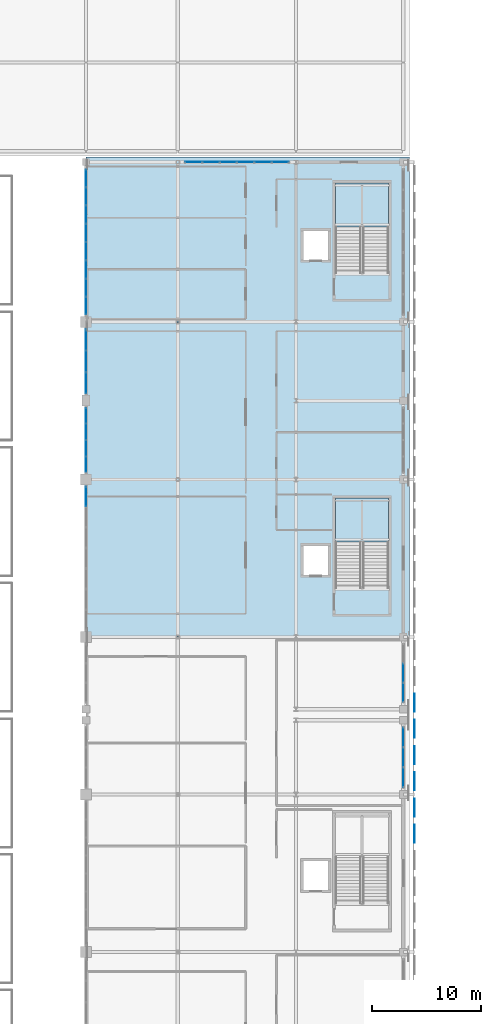
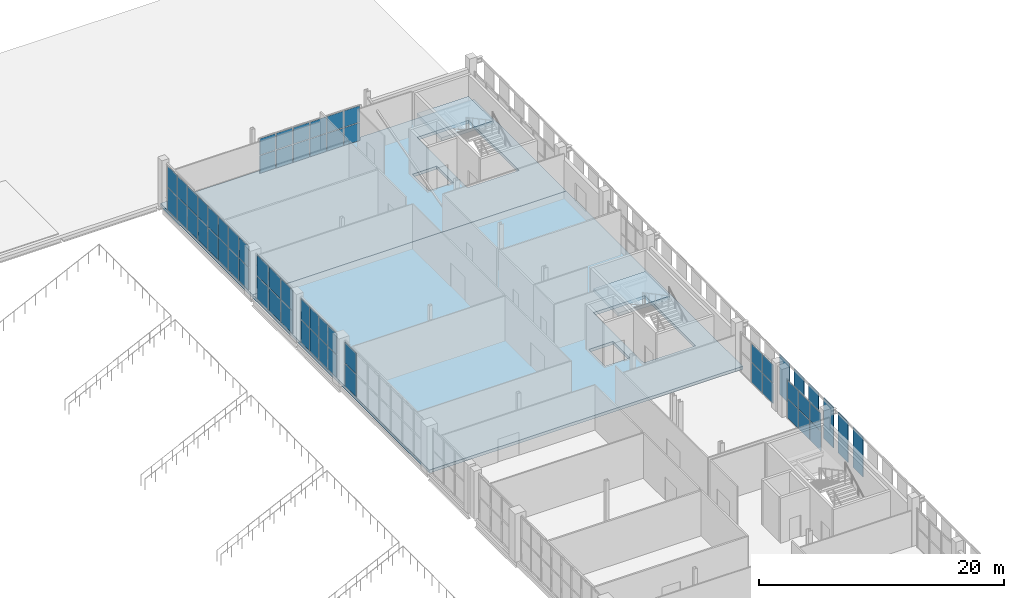
# One storey, part 59 of 104: 60 plates, 4 slabs, 9 elements without a shape of their own.
"""IFC4 building model written with IfcOpenShell, lengths in metres."""

from ifc_helpers import new_model, si_unit, direction, frame, origin, origin_2d, place, context, subcontext, project, spatial, polyline, rectangle, outline, extrude, material, layer, layer_set, type_object, element, aggregate, save


model = new_model("IFC4")

# Units and contexts
model_context = context("Model", 3, precision=1e-05, world=origin(), true_north=direction((0.0, 1.0)))
body_context = subcontext(model_context, "Body", "Model", "MODEL_VIEW")
ifc_project = project(units=[si_unit("LENGTHUNIT", "METRE"), si_unit("AREAUNIT", "SQUARE_METRE"), si_unit("VOLUMEUNIT", "CUBIC_METRE"), si_unit("PLANEANGLEUNIT", "RADIAN"), si_unit("MASSUNIT", "GRAM", prefix="KILO")], contexts=[model_context])

# Site, building, storey
site_placement = place(None, origin())
site = spatial("IfcSite", under=ifc_project, at=site_placement, CompositionType="ELEMENT")
building_placement = place(site_placement, origin())
building = spatial("IfcBuilding", under=site, at=building_placement, Name="Koshinbarg Plaza Stadium", CompositionType="ELEMENT")
storey_placement = place(building_placement, frame((0.0, 0.0, 19.800048828125)))
storey = spatial("IfcBuildingStorey", under=building, at=storey_placement, Name="L04", CompositionType="ELEMENT", Elevation=19.800048828125)

# Curtain wall, plates
ifc_material_1 = material(Name="Thermally broken anodised aluminium and low-E double glazing", Category="aluminium")
curtain_wall_type_1 = type_object("IfcCurtainWallType", Name="CW-SYS-03", PredefinedType="NOTDEFINED", material=ifc_material_1)
curtain_wall_1_placement = place(storey_placement, origin())
curtain_wall_1 = element("IfcCurtainWall", 1, at=curtain_wall_1_placement, inside=storey, type_object=curtain_wall_type_1, Name="L04 unitised curtain wall CW-L04-098", PredefinedType="NOTDEFINED")
ifc_material_2 = material(Name="Solar-control low-E double glazing unit", Category="glass")
ifc_layer_1 = layer(ifc_material_2, 0.028076171875)
ifc_layer_set_1 = layer_set([ifc_layer_1], Name="Solar-control low-E double glazing unit")
plate_type_1 = type_object("IfcPlateType", Name="CW-PNL-28", PredefinedType="CURTAIN_PANEL", material=ifc_layer_set_1)
plate_1_placement = place(storey_placement, frame((199.231689453125, 126.5, 0.06005859375), z_axis=(0.0, 0.0, 1.0), x_axis=(1.0, 0.0, 0.0)))
plate_1 = element("IfcPlate", 2, at=plate_1_placement, type_object=plate_type_1, Name="CW03 panel 1.1", PredefinedType="CURTAIN_PANEL", context=body_context, shape_type="SweptSolid", body=[
    extrude(rectangle(XDim=1.50341796875, YDim=0.028076171875, at=origin_2d()), origin(), (0.0, 0.0, 1.0), 1.771484375),
])
plate_2_placement = place(storey_placement, frame((199.231689453125, 126.5, 1.8916015625), z_axis=(0.0, 0.0, 1.0), x_axis=(1.0, 0.0, 0.0)))
plate_2 = element("IfcPlate", 3, at=plate_2_placement, type_object=plate_type_1, Name="CW03 panel 1.2", PredefinedType="CURTAIN_PANEL", context=body_context, shape_type="SweptSolid", body=[
    extrude(rectangle(XDim=1.50341796875, YDim=0.028076171875, at=origin_2d()), origin(), (0.0, 0.0, 1.0), 1.62841796875),
])
plate_3_placement = place(storey_placement, frame((200.81005859375, 126.5, 0.06005859375), z_axis=(0.0, 0.0, 1.0), x_axis=(1.0, 0.0, 0.0)))
plate_3 = element("IfcPlate", 4, at=plate_3_placement, type_object=plate_type_1, Name="CW03 panel 2.1", PredefinedType="CURTAIN_PANEL", context=body_context, shape_type="SweptSolid", body=[
    extrude(rectangle(XDim=1.533447265625, YDim=0.028076171875, at=origin_2d()), origin(), (0.0, 0.0, 1.0), 1.771484375),
])
plate_4_placement = place(storey_placement, frame((200.81005859375, 126.5, 1.8916015625), z_axis=(0.0, 0.0, 1.0), x_axis=(1.0, 0.0, 0.0)))
plate_4 = element("IfcPlate", 5, at=plate_4_placement, type_object=plate_type_1, Name="CW03 panel 2.2", PredefinedType="CURTAIN_PANEL", context=body_context, shape_type="SweptSolid", body=[
    extrude(rectangle(XDim=1.533447265625, YDim=0.028076171875, at=origin_2d()), origin(), (0.0, 0.0, 1.0), 1.62841796875),
])
plate_5_placement = place(storey_placement, frame((202.4033203125, 126.5, 0.06005859375), z_axis=(0.0, 0.0, 1.0), x_axis=(1.0, 0.0, 0.0)))
plate_5 = element("IfcPlate", 6, at=plate_5_placement, type_object=plate_type_1, Name="CW03 panel 3.1", PredefinedType="CURTAIN_PANEL", context=body_context, shape_type="SweptSolid", body=[
    extrude(rectangle(XDim=1.533447265625, YDim=0.028076171875, at=origin_2d()), origin(), (0.0, 0.0, 1.0), 1.771484375),
])
plate_6_placement = place(storey_placement, frame((202.4033203125, 126.5, 1.8916015625), z_axis=(0.0, 0.0, 1.0), x_axis=(1.0, 0.0, 0.0)))
plate_6 = element("IfcPlate", 7, at=plate_6_placement, type_object=plate_type_1, Name="CW03 panel 3.2", PredefinedType="CURTAIN_PANEL", context=body_context, shape_type="SweptSolid", body=[
    extrude(rectangle(XDim=1.533447265625, YDim=0.028076171875, at=origin_2d()), origin(), (0.0, 0.0, 1.0), 1.62841796875),
])
plate_7_placement = place(storey_placement, frame((203.99658203125, 126.5, 0.06005859375), z_axis=(0.0, 0.0, 1.0), x_axis=(1.0, 0.0, 0.0)))
plate_7 = element("IfcPlate", 8, at=plate_7_placement, type_object=plate_type_1, Name="CW03 panel 4.1", PredefinedType="CURTAIN_PANEL", context=body_context, shape_type="SweptSolid", body=[
    extrude(rectangle(XDim=1.533447265625, YDim=0.028076171875, at=origin_2d()), origin(), (0.0, 0.0, 1.0), 1.771484375),
])
plate_8_placement = place(storey_placement, frame((203.99658203125, 126.5, 1.8916015625), z_axis=(0.0, 0.0, 1.0), x_axis=(1.0, 0.0, 0.0)))
plate_8 = element("IfcPlate", 9, at=plate_8_placement, type_object=plate_type_1, Name="CW03 panel 4.2", PredefinedType="CURTAIN_PANEL", context=body_context, shape_type="SweptSolid", body=[
    extrude(rectangle(XDim=1.533447265625, YDim=0.028076171875, at=origin_2d()), origin(), (0.0, 0.0, 1.0), 1.62841796875),
])
plate_9_placement = place(storey_placement, frame((205.590087890625, 126.5, 0.06005859375), z_axis=(0.0, 0.0, 1.0), x_axis=(1.0, 0.0, 0.0)))
plate_9 = element("IfcPlate", 10, at=plate_9_placement, type_object=plate_type_1, Name="CW03 panel 5.1", PredefinedType="CURTAIN_PANEL", context=body_context, shape_type="SweptSolid", body=[
    extrude(rectangle(XDim=1.533447265625, YDim=0.028076171875, at=origin_2d()), origin(), (0.0, 0.0, 1.0), 1.771484375),
])
plate_10_placement = place(storey_placement, frame((205.590087890625, 126.5, 1.8916015625), z_axis=(0.0, 0.0, 1.0), x_axis=(1.0, 0.0, 0.0)))
plate_10 = element("IfcPlate", 11, at=plate_10_placement, type_object=plate_type_1, Name="CW03 panel 5.2", PredefinedType="CURTAIN_PANEL", context=body_context, shape_type="SweptSolid", body=[
    extrude(rectangle(XDim=1.533447265625, YDim=0.028076171875, at=origin_2d()), origin(), (0.0, 0.0, 1.0), 1.62841796875),
])
plate_11_placement = place(storey_placement, frame((207.168212890625, 126.5, 0.06005859375), z_axis=(0.0, 0.0, 1.0), x_axis=(1.0, 0.0, 0.0)))
plate_11 = element("IfcPlate", 12, at=plate_11_placement, type_object=plate_type_1, Name="CW03 panel 6.1", PredefinedType="CURTAIN_PANEL", context=body_context, shape_type="SweptSolid", body=[
    extrude(rectangle(XDim=1.50341796875, YDim=0.028076171875, at=origin_2d()), origin(), (0.0, 0.0, 1.0), 1.771484375),
])
plate_12_placement = place(storey_placement, frame((207.168212890625, 126.5, 1.8916015625), z_axis=(0.0, 0.0, 1.0), x_axis=(1.0, 0.0, 0.0)))
plate_12 = element("IfcPlate", 13, at=plate_12_placement, type_object=plate_type_1, Name="CW03 panel 6.2", PredefinedType="CURTAIN_PANEL", context=body_context, shape_type="SweptSolid", body=[
    extrude(rectangle(XDim=1.50341796875, YDim=0.028076171875, at=origin_2d()), origin(), (0.0, 0.0, 1.0), 1.62841796875),
])
aggregate(curtain_wall_1, [plate_1, plate_2, plate_3, plate_4, plate_5, plate_6, plate_7, plate_8, plate_9, plate_10, plate_11, plate_12])

curtain_wall_type_2 = type_object("IfcCurtainWallType", Name="CW-SYS-07", PredefinedType="NOTDEFINED", material=ifc_material_1)
curtain_wall_2_placement = place(storey_placement, origin())
curtain_wall_2 = element("IfcCurtainWall", 14, at=curtain_wall_2_placement, inside=storey, type_object=curtain_wall_type_2, Name="L04 unitised curtain wall CW-L04-102", PredefinedType="NOTDEFINED")
plate_13_placement = place(storey_placement, frame((218.39990234375, 73.938232421875, 0.06005859375), z_axis=(0.0, 0.0, 1.0), x_axis=(0.0, -1.0, 0.0)))
plate_13 = element("IfcPlate", 15, at=plate_13_placement, type_object=plate_type_1, Name="CW07 panel 1.1", PredefinedType="CURTAIN_PANEL", context=body_context, shape_type="SweptSolid", body=[
    extrude(rectangle(XDim=1.763427734375, YDim=0.028076171875, at=origin_2d()), origin(), (0.0, 0.0, 1.0), 1.927490234375),
])
plate_14_placement = place(storey_placement, frame((218.39990234375, 73.938232421875, 2.047607421875), z_axis=(0.0, 0.0, 1.0), x_axis=(0.0, -1.0, 0.0)))
plate_14 = element("IfcPlate", 16, at=plate_14_placement, type_object=plate_type_1, Name="CW07 panel 1.2", PredefinedType="CURTAIN_PANEL", context=body_context, shape_type="SweptSolid", body=[
    extrude(rectangle(XDim=1.763427734375, YDim=0.028076171875, at=origin_2d()), origin(), (0.0, 0.0, 1.0), 1.7724609375),
])
plate_15_placement = place(storey_placement, frame((218.39990234375, 72.10009765625, 0.06005859375), z_axis=(0.0, 0.0, 1.0), x_axis=(0.0, -1.0, 0.0)))
plate_15 = element("IfcPlate", 17, at=plate_15_placement, type_object=plate_type_1, Name="CW07 panel 2.1", PredefinedType="CURTAIN_PANEL", context=body_context, shape_type="SweptSolid", body=[
    extrude(rectangle(XDim=1.793212890625, YDim=0.028076171875, at=origin_2d()), origin(), (0.0, 0.0, 1.0), 1.927490234375),
])
plate_16_placement = place(storey_placement, frame((218.39990234375, 72.10009765625, 2.047607421875), z_axis=(0.0, 0.0, 1.0), x_axis=(0.0, -1.0, 0.0)))
plate_16 = element("IfcPlate", 18, at=plate_16_placement, type_object=plate_type_1, Name="CW07 panel 2.2", PredefinedType="CURTAIN_PANEL", context=body_context, shape_type="SweptSolid", body=[
    extrude(rectangle(XDim=1.793212890625, YDim=0.028076171875, at=origin_2d()), origin(), (0.0, 0.0, 1.0), 1.7724609375),
])
plate_17_placement = place(storey_placement, frame((218.39990234375, 70.26171875, 0.06005859375), z_axis=(0.0, 0.0, 1.0), x_axis=(0.0, -1.0, 0.0)))
plate_17 = element("IfcPlate", 19, at=plate_17_placement, type_object=plate_type_1, Name="CW07 panel 3.1", PredefinedType="CURTAIN_PANEL", context=body_context, shape_type="SweptSolid", body=[
    extrude(rectangle(XDim=1.763427734375, YDim=0.028076171875, at=origin_2d()), origin(), (0.0, 0.0, 1.0), 1.927490234375),
])
plate_18_placement = place(storey_placement, frame((218.39990234375, 70.26171875, 2.047607421875), z_axis=(0.0, 0.0, 1.0), x_axis=(0.0, -1.0, 0.0)))
plate_18 = element("IfcPlate", 20, at=plate_18_placement, type_object=plate_type_1, Name="CW07 panel 3.2", PredefinedType="CURTAIN_PANEL", context=body_context, shape_type="SweptSolid", body=[
    extrude(rectangle(XDim=1.763427734375, YDim=0.028076171875, at=origin_2d()), origin(), (0.0, 0.0, 1.0), 1.7724609375),
])
aggregate(curtain_wall_2, [plate_13, plate_14, plate_15, plate_16, plate_17, plate_18])

curtain_wall_type_3 = type_object("IfcCurtainWallType", Name="CW-SYS-01", PredefinedType="NOTDEFINED", material=ifc_material_1)
curtain_wall_3_placement = place(storey_placement, origin())
curtain_wall_3 = element("IfcCurtainWall", 21, at=curtain_wall_3_placement, inside=storey, type_object=curtain_wall_type_3, Name="L04 unitised curtain wall CW-L04-128", PredefinedType="NOTDEFINED")
plate_19_placement = place(storey_placement, frame((189.39990234375, 98.8798828125, 0.06005859375), z_axis=(0.0, 0.0, 1.0), x_axis=(0.0, 1.0, 0.0)))
plate_19 = element("IfcPlate", 22, at=plate_19_placement, type_object=plate_type_1, Name="CW01 panel 1.1", PredefinedType="CURTAIN_PANEL", context=body_context, shape_type="SweptSolid", body=[
    extrude(rectangle(XDim=1.39990234375, YDim=0.028076171875, at=origin_2d()), origin(), (0.0, 0.0, 1.0), 2.239501953125),
])
plate_20_placement = place(storey_placement, frame((189.39990234375, 98.8798828125, 2.359375), z_axis=(0.0, 0.0, 1.0), x_axis=(0.0, 1.0, 0.0)))
plate_20 = element("IfcPlate", 23, at=plate_20_placement, type_object=plate_type_1, Name="CW01 panel 1.2", PredefinedType="CURTAIN_PANEL", context=body_context, shape_type="SweptSolid", body=[
    extrude(rectangle(XDim=1.39990234375, YDim=0.028076171875, at=origin_2d()), origin(), (0.0, 0.0, 1.0), 2.060302734375),
])
plate_21_placement = place(storey_placement, frame((189.39990234375, 100.35498046875, 0.06005859375), z_axis=(0.0, 0.0, 1.0), x_axis=(0.0, 1.0, 0.0)))
plate_21 = element("IfcPlate", 24, at=plate_21_placement, type_object=plate_type_1, Name="CW01 panel 2.1", PredefinedType="CURTAIN_PANEL", context=body_context, shape_type="SweptSolid", body=[
    extrude(rectangle(XDim=1.429931640625, YDim=0.028076171875, at=origin_2d()), origin(), (0.0, 0.0, 1.0), 2.239501953125),
])
plate_22_placement = place(storey_placement, frame((189.39990234375, 100.35498046875, 2.359375), z_axis=(0.0, 0.0, 1.0), x_axis=(0.0, 1.0, 0.0)))
plate_22 = element("IfcPlate", 25, at=plate_22_placement, type_object=plate_type_1, Name="CW01 panel 2.2", PredefinedType="CURTAIN_PANEL", context=body_context, shape_type="SweptSolid", body=[
    extrude(rectangle(XDim=1.429931640625, YDim=0.028076171875, at=origin_2d()), origin(), (0.0, 0.0, 1.0), 2.060302734375),
])
plate_23_placement = place(storey_placement, frame((189.39990234375, 101.844970703125, 0.06005859375), z_axis=(0.0, 0.0, 1.0), x_axis=(0.0, 1.0, 0.0)))
plate_23 = element("IfcPlate", 26, at=plate_23_placement, type_object=plate_type_1, Name="CW01 panel 3.1", PredefinedType="CURTAIN_PANEL", context=body_context, shape_type="SweptSolid", body=[
    extrude(rectangle(XDim=1.429931640625, YDim=0.028076171875, at=origin_2d()), origin(), (0.0, 0.0, 1.0), 2.239501953125),
])
plate_24_placement = place(storey_placement, frame((189.39990234375, 101.844970703125, 2.359375), z_axis=(0.0, 0.0, 1.0), x_axis=(0.0, 1.0, 0.0)))
plate_24 = element("IfcPlate", 27, at=plate_24_placement, type_object=plate_type_1, Name="CW01 panel 3.2", PredefinedType="CURTAIN_PANEL", context=body_context, shape_type="SweptSolid", body=[
    extrude(rectangle(XDim=1.429931640625, YDim=0.028076171875, at=origin_2d()), origin(), (0.0, 0.0, 1.0), 2.060302734375),
])
plate_25_placement = place(storey_placement, frame((189.39990234375, 103.320068359375, 0.06005859375), z_axis=(0.0, 0.0, 1.0), x_axis=(0.0, 1.0, 0.0)))
plate_25 = element("IfcPlate", 28, at=plate_25_placement, type_object=plate_type_1, Name="CW01 panel 4.1", PredefinedType="CURTAIN_PANEL", context=body_context, shape_type="SweptSolid", body=[
    extrude(rectangle(XDim=1.39990234375, YDim=0.028076171875, at=origin_2d()), origin(), (0.0, 0.0, 1.0), 2.239501953125),
])
plate_26_placement = place(storey_placement, frame((189.39990234375, 103.320068359375, 2.359375), z_axis=(0.0, 0.0, 1.0), x_axis=(0.0, 1.0, 0.0)))
plate_26 = element("IfcPlate", 29, at=plate_26_placement, type_object=plate_type_1, Name="CW01 panel 4.2", PredefinedType="CURTAIN_PANEL", context=body_context, shape_type="SweptSolid", body=[
    extrude(rectangle(XDim=1.39990234375, YDim=0.028076171875, at=origin_2d()), origin(), (0.0, 0.0, 1.0), 2.060302734375),
])
aggregate(curtain_wall_3, [plate_19, plate_20, plate_21, plate_22, plate_23, plate_24, plate_25, plate_26])

curtain_wall_4_placement = place(storey_placement, origin())
curtain_wall_4 = element("IfcCurtainWall", 30, at=curtain_wall_4_placement, inside=storey, type_object=curtain_wall_type_1, Name="L04 unitised curtain wall CW-L04-130", PredefinedType="NOTDEFINED")
plate_27_placement = place(storey_placement, frame((189.39990234375, 113.3701171875, 0.06005859375), z_axis=(0.0, 0.0, 1.0), x_axis=(0.0, 1.0, 0.0)))
plate_27 = element("IfcPlate", 31, at=plate_27_placement, type_object=plate_type_1, Name="CW03 panel 1.1", PredefinedType="CURTAIN_PANEL", context=body_context, shape_type="SweptSolid", body=[
    extrude(rectangle(XDim=1.580078125, YDim=0.028076171875, at=origin_2d()), origin(), (0.0, 0.0, 1.0), 2.239501953125),
])
plate_28_placement = place(storey_placement, frame((189.39990234375, 113.3701171875, 2.359375), z_axis=(0.0, 0.0, 1.0), x_axis=(0.0, 1.0, 0.0)))
plate_28 = element("IfcPlate", 32, at=plate_28_placement, type_object=plate_type_1, Name="CW03 panel 1.2", PredefinedType="CURTAIN_PANEL", context=body_context, shape_type="SweptSolid", body=[
    extrude(rectangle(XDim=1.580078125, YDim=0.028076171875, at=origin_2d()), origin(), (0.0, 0.0, 1.0), 2.060302734375),
])
plate_29_placement = place(storey_placement, frame((189.39990234375, 115.02490234375, 0.06005859375), z_axis=(0.0, 0.0, 1.0), x_axis=(0.0, 1.0, 0.0)))
plate_29 = element("IfcPlate", 33, at=plate_29_placement, type_object=plate_type_1, Name="CW03 panel 2.1", PredefinedType="CURTAIN_PANEL", context=body_context, shape_type="SweptSolid", body=[
    extrude(rectangle(XDim=1.610107421875, YDim=0.028076171875, at=origin_2d()), origin(), (0.0, 0.0, 1.0), 2.239501953125),
])
plate_30_placement = place(storey_placement, frame((189.39990234375, 115.02490234375, 2.359375), z_axis=(0.0, 0.0, 1.0), x_axis=(0.0, 1.0, 0.0)))
plate_30 = element("IfcPlate", 34, at=plate_30_placement, type_object=plate_type_1, Name="CW03 panel 2.2", PredefinedType="CURTAIN_PANEL", context=body_context, shape_type="SweptSolid", body=[
    extrude(rectangle(XDim=1.610107421875, YDim=0.028076171875, at=origin_2d()), origin(), (0.0, 0.0, 1.0), 2.060302734375),
])
plate_31_placement = place(storey_placement, frame((189.39990234375, 116.695068359375, 0.06005859375), z_axis=(0.0, 0.0, 1.0), x_axis=(0.0, 1.0, 0.0)))
plate_31 = element("IfcPlate", 35, at=plate_31_placement, type_object=plate_type_1, Name="CW03 panel 3.1", PredefinedType="CURTAIN_PANEL", context=body_context, shape_type="SweptSolid", body=[
    extrude(rectangle(XDim=1.610107421875, YDim=0.028076171875, at=origin_2d()), origin(), (0.0, 0.0, 1.0), 2.239501953125),
])
plate_32_placement = place(storey_placement, frame((189.39990234375, 116.695068359375, 2.359375), z_axis=(0.0, 0.0, 1.0), x_axis=(0.0, 1.0, 0.0)))
plate_32 = element("IfcPlate", 36, at=plate_32_placement, type_object=plate_type_1, Name="CW03 panel 3.2", PredefinedType="CURTAIN_PANEL", context=body_context, shape_type="SweptSolid", body=[
    extrude(rectangle(XDim=1.610107421875, YDim=0.028076171875, at=origin_2d()), origin(), (0.0, 0.0, 1.0), 2.060302734375),
])
plate_33_placement = place(storey_placement, frame((189.39990234375, 118.364990234375, 0.06005859375), z_axis=(0.0, 0.0, 1.0), x_axis=(0.0, 1.0, 0.0)))
plate_33 = element("IfcPlate", 37, at=plate_33_placement, type_object=plate_type_1, Name="CW03 panel 4.1", PredefinedType="CURTAIN_PANEL", context=body_context, shape_type="SweptSolid", body=[
    extrude(rectangle(XDim=1.610107421875, YDim=0.028076171875, at=origin_2d()), origin(), (0.0, 0.0, 1.0), 2.239501953125),
])
plate_34_placement = place(storey_placement, frame((189.39990234375, 118.364990234375, 2.359375), z_axis=(0.0, 0.0, 1.0), x_axis=(0.0, 1.0, 0.0)))
plate_34 = element("IfcPlate", 38, at=plate_34_placement, type_object=plate_type_1, Name="CW03 panel 4.2", PredefinedType="CURTAIN_PANEL", context=body_context, shape_type="SweptSolid", body=[
    extrude(rectangle(XDim=1.610107421875, YDim=0.028076171875, at=origin_2d()), origin(), (0.0, 0.0, 1.0), 2.060302734375),
])
plate_35_placement = place(storey_placement, frame((189.39990234375, 120.034912109375, 0.06005859375), z_axis=(0.0, 0.0, 1.0), x_axis=(0.0, 1.0, 0.0)))
plate_35 = element("IfcPlate", 39, at=plate_35_placement, type_object=plate_type_1, Name="CW03 panel 5.1", PredefinedType="CURTAIN_PANEL", context=body_context, shape_type="SweptSolid", body=[
    extrude(rectangle(XDim=1.610107421875, YDim=0.028076171875, at=origin_2d()), origin(), (0.0, 0.0, 1.0), 2.239501953125),
])
plate_36_placement = place(storey_placement, frame((189.39990234375, 120.034912109375, 2.359375), z_axis=(0.0, 0.0, 1.0), x_axis=(0.0, 1.0, 0.0)))
plate_36 = element("IfcPlate", 40, at=plate_36_placement, type_object=plate_type_1, Name="CW03 panel 5.2", PredefinedType="CURTAIN_PANEL", context=body_context, shape_type="SweptSolid", body=[
    extrude(rectangle(XDim=1.610107421875, YDim=0.028076171875, at=origin_2d()), origin(), (0.0, 0.0, 1.0), 2.060302734375),
])
plate_37_placement = place(storey_placement, frame((189.39990234375, 121.705078125, 0.06005859375), z_axis=(0.0, 0.0, 1.0), x_axis=(0.0, 1.0, 0.0)))
plate_37 = element("IfcPlate", 41, at=plate_37_placement, type_object=plate_type_1, Name="CW03 panel 6.1", PredefinedType="CURTAIN_PANEL", context=body_context, shape_type="SweptSolid", body=[
    extrude(rectangle(XDim=1.610107421875, YDim=0.028076171875, at=origin_2d()), origin(), (0.0, 0.0, 1.0), 2.239501953125),
])
plate_38_placement = place(storey_placement, frame((189.39990234375, 121.705078125, 2.359375), z_axis=(0.0, 0.0, 1.0), x_axis=(0.0, 1.0, 0.0)))
plate_38 = element("IfcPlate", 42, at=plate_38_placement, type_object=plate_type_1, Name="CW03 panel 6.2", PredefinedType="CURTAIN_PANEL", context=body_context, shape_type="SweptSolid", body=[
    extrude(rectangle(XDim=1.610107421875, YDim=0.028076171875, at=origin_2d()), origin(), (0.0, 0.0, 1.0), 2.060302734375),
])
plate_39_placement = place(storey_placement, frame((189.39990234375, 123.375, 0.06005859375), z_axis=(0.0, 0.0, 1.0), x_axis=(0.0, 1.0, 0.0)))
plate_39 = element("IfcPlate", 43, at=plate_39_placement, type_object=plate_type_1, Name="CW03 panel 7.1", PredefinedType="CURTAIN_PANEL", context=body_context, shape_type="SweptSolid", body=[
    extrude(rectangle(XDim=1.610107421875, YDim=0.028076171875, at=origin_2d()), origin(), (0.0, 0.0, 1.0), 2.239501953125),
])
plate_40_placement = place(storey_placement, frame((189.39990234375, 123.375, 2.359375), z_axis=(0.0, 0.0, 1.0), x_axis=(0.0, 1.0, 0.0)))
plate_40 = element("IfcPlate", 44, at=plate_40_placement, type_object=plate_type_1, Name="CW03 panel 7.2", PredefinedType="CURTAIN_PANEL", context=body_context, shape_type="SweptSolid", body=[
    extrude(rectangle(XDim=1.610107421875, YDim=0.028076171875, at=origin_2d()), origin(), (0.0, 0.0, 1.0), 2.060302734375),
])
plate_41_placement = place(storey_placement, frame((189.39990234375, 125.030029296875, 0.06005859375), z_axis=(0.0, 0.0, 1.0), x_axis=(0.0, 1.0, 0.0)))
plate_41 = element("IfcPlate", 45, at=plate_41_placement, type_object=plate_type_1, Name="CW03 panel 8.1", PredefinedType="CURTAIN_PANEL", context=body_context, shape_type="SweptSolid", body=[
    extrude(rectangle(XDim=1.580078125, YDim=0.028076171875, at=origin_2d()), origin(), (0.0, 0.0, 1.0), 2.239501953125),
])
plate_42_placement = place(storey_placement, frame((189.39990234375, 125.030029296875, 2.359375), z_axis=(0.0, 0.0, 1.0), x_axis=(0.0, 1.0, 0.0)))
plate_42 = element("IfcPlate", 46, at=plate_42_placement, type_object=plate_type_1, Name="CW03 panel 8.2", PredefinedType="CURTAIN_PANEL", context=body_context, shape_type="SweptSolid", body=[
    extrude(rectangle(XDim=1.580078125, YDim=0.028076171875, at=origin_2d()), origin(), (0.0, 0.0, 1.0), 2.060302734375),
])
aggregate(curtain_wall_4, [plate_27, plate_28, plate_29, plate_30, plate_31, plate_32, plate_33, plate_34, plate_35, plate_36, plate_37, plate_38, plate_39, plate_40, plate_41, plate_42])

curtain_wall_type_4 = type_object("IfcCurtainWallType", Name="CW-SYS-06", PredefinedType="NOTDEFINED", material=ifc_material_1)
curtain_wall_5_placement = place(storey_placement, origin())
curtain_wall_5 = element("IfcCurtainWall", 47, at=curtain_wall_5_placement, inside=storey, type_object=curtain_wall_type_4, Name="L04 unitised curtain wall CW-L04-101", PredefinedType="NOTDEFINED")
ifc_material_3 = material(Name="Acoustic solar-control double glazing unit", Category="glass")
ifc_layer_2 = layer(ifc_material_3, 0.031982421875)
ifc_layer_set_2 = layer_set([ifc_layer_2], Name="Acoustic solar-control double glazing unit")
plate_type_2 = type_object("IfcPlateType", Name="CW-PNL-32", PredefinedType="CURTAIN_PANEL", material=ifc_layer_set_2)
plate_43_placement = place(storey_placement, frame((218.39990234375, 79.800048828125, 0.06005859375), z_axis=(0.0, 0.0, 1.0), x_axis=(0.0, -1.0, 0.0)))
plate_43 = element("IfcPlate", 48, at=plate_43_placement, type_object=plate_type_2, Name="CW06 panel 2.1", PredefinedType="CURTAIN_PANEL", context=body_context, shape_type="SweptSolid", body=[
    extrude(rectangle(XDim=1.7265625, YDim=0.031982421875, at=origin_2d()), origin(), (0.0, 0.0, 1.0), 1.9794921875),
])
plate_44_placement = place(storey_placement, frame((218.39990234375, 79.800048828125, 2.099609375), z_axis=(0.0, 0.0, 1.0), x_axis=(0.0, -1.0, 0.0)))
plate_44 = element("IfcPlate", 49, at=plate_44_placement, type_object=plate_type_2, Name="CW06 panel 2.2", PredefinedType="CURTAIN_PANEL", context=body_context, shape_type="SweptSolid", body=[
    extrude(rectangle(XDim=1.7265625, YDim=0.031982421875, at=origin_2d()), origin(), (0.0, 0.0, 1.0), 1.8203125),
])
plate_45_placement = place(storey_placement, frame((218.39990234375, 78.0283203125, 0.06005859375), z_axis=(0.0, 0.0, 1.0), x_axis=(0.0, -1.0, 0.0)))
plate_45 = element("IfcPlate", 50, at=plate_45_placement, type_object=plate_type_2, Name="CW06 panel 3.1", PredefinedType="CURTAIN_PANEL", context=body_context, shape_type="SweptSolid", body=[
    extrude(rectangle(XDim=1.69677734375, YDim=0.031982421875, at=origin_2d()), origin(), (0.0, 0.0, 1.0), 1.9794921875),
])
plate_46_placement = place(storey_placement, frame((218.39990234375, 78.0283203125, 2.099609375), z_axis=(0.0, 0.0, 1.0), x_axis=(0.0, -1.0, 0.0)))
plate_46 = element("IfcPlate", 51, at=plate_46_placement, type_object=plate_type_2, Name="CW06 panel 3.2", PredefinedType="CURTAIN_PANEL", context=body_context, shape_type="SweptSolid", body=[
    extrude(rectangle(XDim=1.69677734375, YDim=0.031982421875, at=origin_2d()), origin(), (0.0, 0.0, 1.0), 1.8203125),
])
aggregate(curtain_wall_5, [plate_43, plate_44, plate_45, plate_46])

curtain_wall_type_5 = type_object("IfcCurtainWallType", Name="CW-SYS-16", PredefinedType="NOTDEFINED", material=ifc_material_1)
curtain_wall_6_placement = place(storey_placement, origin())
curtain_wall_6 = element("IfcCurtainWall", 52, at=curtain_wall_6_placement, inside=storey, type_object=curtain_wall_type_5, Name="L04 unitised curtain wall CW-L04-127", PredefinedType="NOTDEFINED")
plate_47_placement = place(storey_placement, frame((189.39990234375, 95.925048828125, 0.06005859375), z_axis=(0.0, 0.0, 1.0), x_axis=(0.0, 1.0, 0.0)))
plate_47 = element("IfcPlate", 53, at=plate_47_placement, type_object=plate_type_2, Name="CW16 panel 7.1", PredefinedType="CURTAIN_PANEL", context=body_context, shape_type="SweptSolid", body=[
    extrude(rectangle(XDim=1.7900390625, YDim=0.031982421875, at=origin_2d()), origin(), (0.0, 0.0, 1.0), 2.239501953125),
])
plate_48_placement = place(storey_placement, frame((189.39990234375, 95.925048828125, 2.359375), z_axis=(0.0, 0.0, 1.0), x_axis=(0.0, 1.0, 0.0)))
plate_48 = element("IfcPlate", 54, at=plate_48_placement, type_object=plate_type_2, Name="CW16 panel 7.2", PredefinedType="CURTAIN_PANEL", context=body_context, shape_type="SweptSolid", body=[
    extrude(rectangle(XDim=1.7900390625, YDim=0.031982421875, at=origin_2d()), origin(), (0.0, 0.0, 1.0), 2.060302734375),
])
aggregate(curtain_wall_6, [plate_47, plate_48])

curtain_wall_type_6 = type_object("IfcCurtainWallType", Name="CW-SYS-02", PredefinedType="NOTDEFINED", material=ifc_material_1)
curtain_wall_7_placement = place(storey_placement, origin())
curtain_wall_7 = element("IfcCurtainWall", 55, at=curtain_wall_7_placement, inside=storey, type_object=curtain_wall_type_6, Name="L04 unitised curtain wall CW-L04-129", PredefinedType="NOTDEFINED")
plate_49_placement = place(storey_placement, frame((189.39990234375, 106.328369140625, 0.06005859375), z_axis=(0.0, 0.0, 1.0), x_axis=(0.0, 1.0, 0.0)))
plate_49 = element("IfcPlate", 56, at=plate_49_placement, type_object=plate_type_2, Name="CW02 panel 1.1", PredefinedType="CURTAIN_PANEL", context=body_context, shape_type="SweptSolid", body=[
    extrude(rectangle(XDim=1.896728515625, YDim=0.031982421875, at=origin_2d()), origin(), (0.0, 0.0, 1.0), 2.239501953125),
])
plate_50_placement = place(storey_placement, frame((189.39990234375, 106.328369140625, 2.359375), z_axis=(0.0, 0.0, 1.0), x_axis=(0.0, 1.0, 0.0)))
plate_50 = element("IfcPlate", 57, at=plate_50_placement, type_object=plate_type_2, Name="CW02 panel 1.2", PredefinedType="CURTAIN_PANEL", context=body_context, shape_type="SweptSolid", body=[
    extrude(rectangle(XDim=1.896728515625, YDim=0.031982421875, at=origin_2d()), origin(), (0.0, 0.0, 1.0), 2.060302734375),
])
plate_51_placement = place(storey_placement, frame((189.39990234375, 108.300048828125, 0.06005859375), z_axis=(0.0, 0.0, 1.0), x_axis=(0.0, 1.0, 0.0)))
plate_51 = element("IfcPlate", 58, at=plate_51_placement, type_object=plate_type_2, Name="CW02 panel 2.1", PredefinedType="CURTAIN_PANEL", context=body_context, shape_type="SweptSolid", body=[
    extrude(rectangle(XDim=1.9267578125, YDim=0.031982421875, at=origin_2d()), origin(), (0.0, 0.0, 1.0), 2.239501953125),
])
plate_52_placement = place(storey_placement, frame((189.39990234375, 108.300048828125, 2.359375), z_axis=(0.0, 0.0, 1.0), x_axis=(0.0, 1.0, 0.0)))
plate_52 = element("IfcPlate", 59, at=plate_52_placement, type_object=plate_type_2, Name="CW02 panel 2.2", PredefinedType="CURTAIN_PANEL", context=body_context, shape_type="SweptSolid", body=[
    extrude(rectangle(XDim=1.9267578125, YDim=0.031982421875, at=origin_2d()), origin(), (0.0, 0.0, 1.0), 2.060302734375),
])
plate_53_placement = place(storey_placement, frame((189.39990234375, 110.271728515625, 0.06005859375), z_axis=(0.0, 0.0, 1.0), x_axis=(0.0, 1.0, 0.0)))
plate_53 = element("IfcPlate", 60, at=plate_53_placement, type_object=plate_type_2, Name="CW02 panel 3.1", PredefinedType="CURTAIN_PANEL", context=body_context, shape_type="SweptSolid", body=[
    extrude(rectangle(XDim=1.896728515625, YDim=0.031982421875, at=origin_2d()), origin(), (0.0, 0.0, 1.0), 2.239501953125),
])
plate_54_placement = place(storey_placement, frame((189.39990234375, 110.271728515625, 2.359375), z_axis=(0.0, 0.0, 1.0), x_axis=(0.0, 1.0, 0.0)))
plate_54 = element("IfcPlate", 61, at=plate_54_placement, type_object=plate_type_2, Name="CW02 panel 3.2", PredefinedType="CURTAIN_PANEL", context=body_context, shape_type="SweptSolid", body=[
    extrude(rectangle(XDim=1.896728515625, YDim=0.031982421875, at=origin_2d()), origin(), (0.0, 0.0, 1.0), 2.060302734375),
])
aggregate(curtain_wall_7, [plate_49, plate_50, plate_51, plate_52, plate_53, plate_54])

# Plates
ifc_material_4 = material(Name="Off-white mineral-coated perforated aluminium screen panel", Category="aluminium")
ifc_layer_3 = layer(ifc_material_4, 0.050048828125)
ifc_layer_set_3 = layer_set([ifc_layer_3], Name="Off-white mineral-coated perforated aluminium screen panel")
plate_type_3 = type_object("IfcPlateType", Name="PLT-SCR-50", PredefinedType="USERDEFINED", material=ifc_layer_set_3)
for number, where, z_axis, x_axis, name in (
    (62, (219.419921875, 67.5, 0.19970703125), (0.0, 0.0, 1.0), (1.0, 0.0, 0.0), "L04 off-white leaf-pierced outer screen panel 228"),
    (63, (219.419921875, 72.300048828125, 0.19970703125), (0.0, 0.0, 1.0), (1.0, 0.0, 0.0), "L04 off-white leaf-pierced outer screen panel 230"),
    (64, (219.419921875, 77.10009765625, 0.19970703125), (0.0, 0.0, 1.0), (1.0, 0.0, 0.0), "L04 off-white leaf-pierced outer screen panel 232"),
):
    element("IfcPlate", number, at=place(storey_placement, frame(where, z_axis=z_axis, x_axis=x_axis)), inside=storey, type_object=plate_type_3, Name=name, ObjectType="SCREEN PANEL", PredefinedType="USERDEFINED", context=body_context, shape_type="SweptSolid", body=[
        extrude(rectangle(XDim=0.050048828125, YDim=1.632080078125, at=origin_2d()), origin(), (0.0, 0.0, 1.0), 4.030029296875),
    ])
ifc_material_5 = material(Name="Off-white mineral-coated leaf-aperture GRC screen panel")
ifc_layer_4 = layer(ifc_material_5, 0.06005859375)
ifc_layer_set_4 = layer_set([ifc_layer_4], Name="Off-white mineral-coated leaf-aperture GRC screen panel")
plate_type_4 = type_object("IfcPlateType", Name="PLT-SCR-60", PredefinedType="USERDEFINED", material=ifc_layer_set_4)
for number, where, z_axis, x_axis, name in (
    (65, (219.425048828125, 65.10009765625, 0.19970703125), (0.0, 0.0, 1.0), (1.0, 0.0, 0.0), "L04 off-white leaf-pierced outer screen panel 227"),
    (66, (219.425048828125, 69.89990234375, 0.19970703125), (0.0, 0.0, 1.0), (1.0, 0.0, 0.0), "L04 off-white leaf-pierced outer screen panel 229"),
    (67, (219.425048828125, 74.699951171875, 0.19970703125), (0.0, 0.0, 1.0), (1.0, 0.0, 0.0), "L04 off-white leaf-pierced outer screen panel 231"),
):
    element("IfcPlate", number, at=place(storey_placement, frame(where, z_axis=z_axis, x_axis=x_axis)), inside=storey, type_object=plate_type_4, Name=name, ObjectType="SCREEN PANEL", PredefinedType="USERDEFINED", context=body_context, shape_type="SweptSolid", body=[
        extrude(rectangle(XDim=0.06005859375, YDim=1.632080078125, at=origin_2d()), origin(), (0.0, 0.0, 1.0), 4.030029296875),
    ])

# Slabs
ifc_material_6 = material(Name="Concrete C35/45", Category="concrete")
ifc_layer_5 = layer(ifc_material_6, 0.300048828125)
ifc_layer_set_5 = layer_set([ifc_layer_5], Name="Concrete C35/45")
slab_type_1 = type_object("IfcSlabType", Name="SL-FLR-300", PredefinedType="FLOOR", material=ifc_layer_set_5)
slab_1_placement = place(storey_placement, frame((0.0, 0.0, -0.300048828125)))
element("IfcSlab", 68, at=slab_1_placement, inside=storey, type_object=slab_type_1, Name="L04 V2 structural slab 7", PredefinedType="FLOOR", context=body_context, shape_type="SweptSolid", body=[
    extrude(outline(polyline([(189.39990234375, 83.10009765625), (218.955078125, 83.10009765625), (218.955078125, 111.89990234375), (189.39990234375, 111.89990234375), (189.39990234375, 83.10009765625)]), holes=[polyline([(217.070068359375, 87.56005859375), (217.070068359375, 95.800048828125), (212.199951171875, 95.800048828125), (212.199951171875, 87.56005859375), (217.070068359375, 87.56005859375)]), polyline([(209.25, 88.75), (211.550048828125, 88.75), (211.550048828125, 91.449951171875), (209.25, 91.449951171875), (209.25, 88.75)])]), origin(), (0.0, 0.0, 1.0), 0.300048828125),
])
slab_2_placement = place(storey_placement, frame((0.0, 0.0, -0.300048828125)))
element("IfcSlab", 69, at=slab_2_placement, inside=storey, type_object=slab_type_1, Name="L04 V2 structural slab 8", PredefinedType="FLOOR", context=body_context, shape_type="SweptSolid", body=[
    extrude(outline(polyline([(189.39990234375, 111.89990234375), (218.955078125, 111.89990234375), (218.955078125, 126.955078125), (189.39990234375, 126.955078125), (189.39990234375, 111.89990234375)]), holes=[polyline([(217.070068359375, 116.360107421875), (217.070068359375, 124.60009765625), (212.199951171875, 124.60009765625), (212.199951171875, 116.360107421875), (217.070068359375, 116.360107421875)]), polyline([(209.25, 117.550048828125), (211.550048828125, 117.550048828125), (211.550048828125, 120.25), (209.25, 120.25), (209.25, 117.550048828125)])]), origin(), (0.0, 0.0, 1.0), 0.300048828125),
])

# Stair, slab
stair_type = type_object("IfcStairType", Name="ST-CORE-48", PredefinedType="HALF_TURN_STAIR", material=ifc_material_6)
stair_1_placement = place(storey_placement, origin())
stair_1 = element("IfcStair", 70, at=stair_1_placement, inside=storey, type_object=stair_type, Name="L04 Protected Exit Stair C09", PredefinedType="HALF_TURN_STAIR")
ifc_layer_6 = layer(ifc_material_6, 0.320068359375)
ifc_layer_set_6 = layer_set([ifc_layer_6], Name="Concrete C35/45")
slab_type_2 = type_object("IfcSlabType", Name="SL-STLAND-280", PredefinedType="LANDING", material=ifc_layer_set_6)
slab_3_placement = place(storey_placement, frame((0.0, 0.0, 2.079833984375)))
slab_3 = element("IfcSlab", 71, at=slab_3_placement, type_object=slab_type_2, Name="L04 Protected Exit Stair C09 landing 051", PredefinedType="LANDING", context=body_context, shape_type="SweptSolid", body=[
    extrude(outline(polyline([(217.070068359375, 91.760009765625), (217.070068359375, 95.800048828125), (212.199951171875, 95.800048828125), (212.199951171875, 91.760009765625), (217.070068359375, 91.760009765625)])), origin(), (0.0, 0.0, 1.0), 0.320068359375),
])
aggregate(stair_1, [slab_3])

stair_2_placement = place(storey_placement, origin())
stair_2 = element("IfcStair", 72, at=stair_2_placement, inside=storey, type_object=stair_type, Name="L04 Protected Exit Stair C10", PredefinedType="HALF_TURN_STAIR")
slab_4_placement = place(storey_placement, frame((0.0, 0.0, 2.079833984375)))
slab_4 = element("IfcSlab", 73, at=slab_4_placement, type_object=slab_type_2, Name="L04 Protected Exit Stair C10 landing 056", PredefinedType="LANDING", context=body_context, shape_type="SweptSolid", body=[
    extrude(outline(polyline([(217.070068359375, 120.56005859375), (217.070068359375, 124.60009765625), (212.199951171875, 124.60009765625), (212.199951171875, 120.56005859375), (217.070068359375, 120.56005859375)])), origin(), (0.0, 0.0, 1.0), 0.320068359375),
])
aggregate(stair_2, [slab_4])

save(model, "model.ifc")
